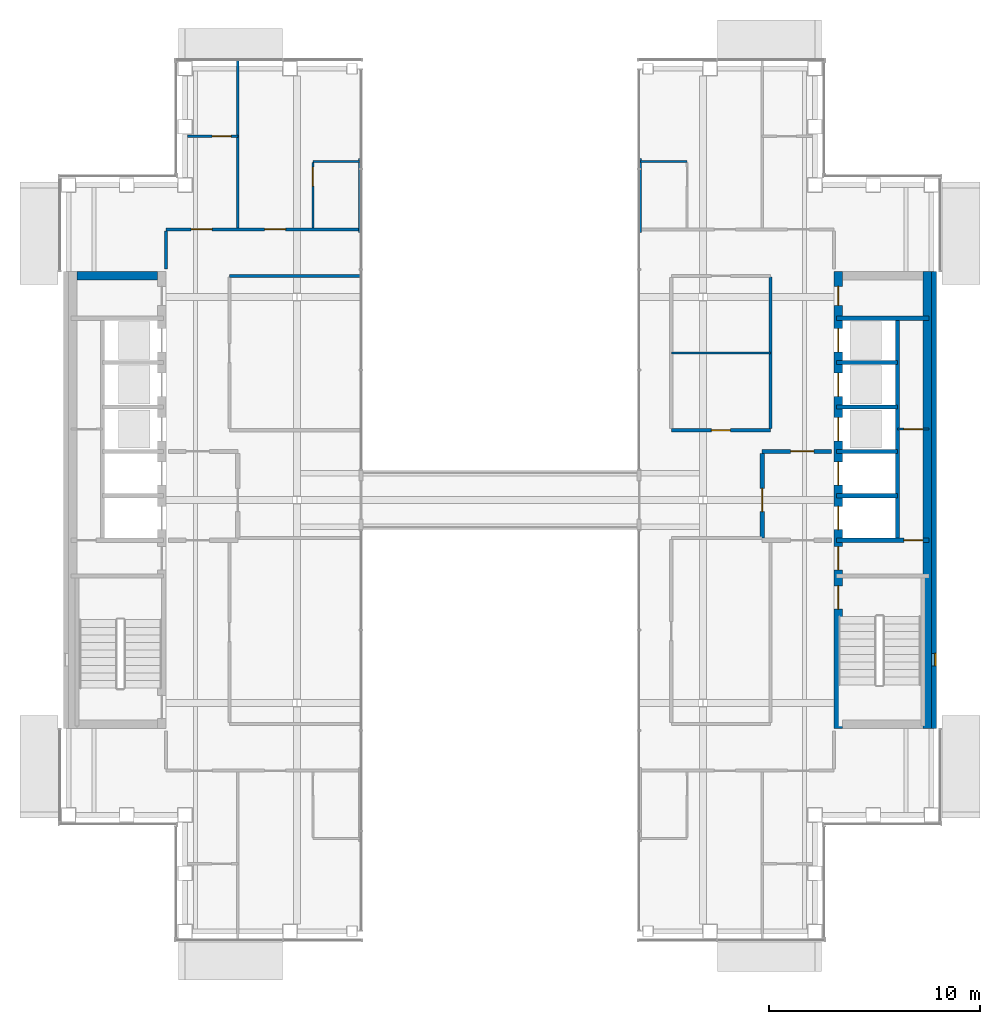
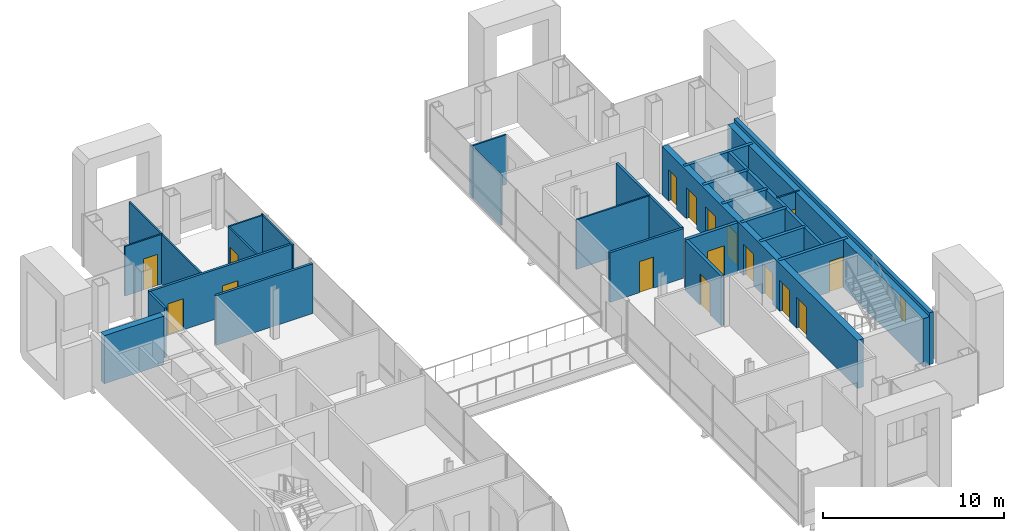
# One storey, part 12 of 17: 27 walls, 17 doors, 1 window, 18 openings.
"""IFC4 building model written with IfcOpenShell, lengths in metres."""

import ifcopenshell
import ifcopenshell.guid

model = None  # the IFC model being written
_history = None  # IfcOwnerHistory: only IFC2X3 demands one
_inside = {}  # id of a spatial element -> (the spatial element, [elements in it])
_under = {}  # id of a project, library or spatial element -> (it, [spatial elements below it])
_declared = {}  # id of a project -> (the project, [libraries it declares])
_typed = {}  # id of a type object -> (the type object, [elements of that type])
_made_of = {}  # id of a material, layer set ... -> (it, [elements and type objects made of it])


def new_model(schema):
    """Start an empty IFC model of exactly this schema.

    Asked for "IFC4X3", IfcOpenShell would pick the latest addendum, in which some entities
    have other attributes; the version numbers below select the first issue.
    IFC2X3 requires an IfcOwnerHistory on every rooted entity: one is made here for all.
    """
    global model, _history
    if schema == "IFC4X3":
        model = ifcopenshell.file(schema_version=(4, 3, 0, 0))
    else:
        model = ifcopenshell.file(schema=schema)
    _inside.clear()
    _under.clear()
    _declared.clear()
    _typed.clear()
    _made_of.clear()
    _history = None
    if model.schema == "IFC2X3":
        org = make("IfcOrganization", Name="unknown")
        user = make(
            "IfcPersonAndOrganization",
            ThePerson=make("IfcPerson", FamilyName="unknown"),
            TheOrganization=org,
        )
        app = make(
            "IfcApplication",
            ApplicationDeveloper=org,
            Version="unknown",
            ApplicationFullName="unknown",
            ApplicationIdentifier="unknown",
        )
        _history = make(
            "IfcOwnerHistory",
            OwningUser=user,
            OwningApplication=app,
            ChangeAction="ADDED",
            CreationDate=0,
        )
    return model


def make(cls, **values):
    """One entity of the class cls with the attributes given. An attribute that is None is left unset."""
    return model.create_entity(
        cls, **{name: value for name, value in values.items() if value is not None}
    )


def rooted(cls, **values):
    """An entity with a GlobalId (a new one), such as an element, a storey or a relation."""
    return make(cls, GlobalId=ifcopenshell.guid.new(), OwnerHistory=_history, **values)


def si_unit(unit_type, name, prefix=None):
    """IfcSIUnit, for example si_unit("LENGTHUNIT", "METRE", prefix="MILLI")."""
    return make("IfcSIUnit", UnitType=unit_type, Prefix=prefix, Name=name)


def assignment(units):
    """IfcUnitAssignment: the units of a project."""
    return None if units is None else make("IfcUnitAssignment", Units=units)


def point(xyz):
    """IfcCartesianPoint."""
    return None if xyz is None else make("IfcCartesianPoint", Coordinates=xyz)


def direction(xyz):
    """IfcDirection."""
    return None if xyz is None else make("IfcDirection", DirectionRatios=xyz)


def frame(location, z_axis=None, x_axis=None):
    """IfcAxis2Placement3D, a coordinate frame: its origin and axes. An axis left out is left unset."""
    return make(
        "IfcAxis2Placement3D",
        Location=point(location),
        Axis=direction(z_axis),
        RefDirection=direction(x_axis),
    )


def frame_2d(location, x_axis=None):
    """IfcAxis2Placement2D, a coordinate frame in the plane: its origin and x axis."""
    return make(
        "IfcAxis2Placement2D", Location=point(location), RefDirection=direction(x_axis)
    )


def origin():
    """The frame at (0, 0, 0) with its axes left unset."""
    return frame((0.0, 0.0, 0.0))


def place(relative_to, where):
    """IfcLocalPlacement: puts the frame where relative to a parent placement (None: the world)."""
    return make(
        "IfcLocalPlacement", PlacementRelTo=relative_to, RelativePlacement=where
    )


def context(
    kind, dimensions, precision=None, world=None, true_north=None, identifier=None
):
    """IfcGeometricRepresentationContext, for example the 3D "Model" context."""
    return make(
        "IfcGeometricRepresentationContext",
        ContextIdentifier=identifier,
        ContextType=kind,
        CoordinateSpaceDimension=dimensions,
        Precision=precision,
        WorldCoordinateSystem=world,
        TrueNorth=true_north,
    )


def subcontext(parent, identifier, kind, view, scale=None):
    """IfcGeometricRepresentationSubContext, for example "Body" below "Model"."""
    return make(
        "IfcGeometricRepresentationSubContext",
        ContextIdentifier=identifier,
        ContextType=kind,
        ParentContext=parent,
        TargetScale=scale,
        TargetView=view,
    )


def project(units=None, contexts=None):
    """IfcProject with its units and contexts."""
    return rooted(
        "IfcProject",
        Name="project",
        RepresentationContexts=contexts,
        UnitsInContext=assignment(units),
    )


def spatial(cls, under=None, at=None, **own):
    """A site, building, storey or space (cls), placed at a placement, below another one or the project."""
    s = rooted(cls, ObjectPlacement=at, **own)
    if under is not None:
        _under.setdefault(under.id(), (under, []))[1].append(s)
    return s


def profile(cls, at=None, kind="AREA", **sizes):
    """A parametric profile (cls). Its sizes go by their IFC names, for example OverallWidth=200.0."""
    return make(cls, ProfileType=kind, Position=at, **sizes)


def rectangle(**sizes):
    """IfcRectangleProfileDef."""
    return profile("IfcRectangleProfileDef", **sizes)


def extrude(swept, where, along, depth):
    """IfcExtrudedAreaSolid: the profile swept, set in the frame where, extruded along a direction by depth."""
    return make(
        "IfcExtrudedAreaSolid",
        SweptArea=swept,
        Position=where,
        ExtrudedDirection=direction(along),
        Depth=depth,
    )


def shape(context_of_items, identifier, shape_type, items):
    """IfcShapeRepresentation: the items that make up one representation, for example the "Body"."""
    return make(
        "IfcShapeRepresentation",
        ContextOfItems=context_of_items,
        RepresentationIdentifier=identifier,
        RepresentationType=shape_type,
        Items=items,
    )


def material(Name=None, Category=None):
    """IfcMaterial."""
    return make("IfcMaterial", Name=Name, Category=Category)


def layer(
    of_material, thickness, ventilated=None, Name=None, Category=None, Priority=None
):
    """IfcMaterialLayer: one layer of a wall or slab, of a material (None: an air gap)."""
    return make(
        "IfcMaterialLayer",
        Material=of_material,
        LayerThickness=thickness,
        IsVentilated=ventilated,
        Name=Name,
        Category=Category,
        Priority=Priority,
    )


def layer_set(layers, Name=None):
    """IfcMaterialLayerSet."""
    return make("IfcMaterialLayerSet", MaterialLayers=layers, LayerSetName=Name)


def made_of(thing, what):
    """Note that an element or type object is made of a material, layer set ...; save() writes the relation."""
    if what is not None:
        _made_of.setdefault(what.id(), (what, []))[1].append(thing)
    return thing


def type_object(cls, material=None, **own):
    """A type object (cls), such as IfcWallType, which elements share."""
    return made_of(rooted(cls, **own), material)


def element(
    cls,
    number,
    at=None,
    inside=None,
    cuts=None,
    type_object=None,
    material=None,
    context=None,
    identifier="Body",
    shape_type=None,
    held_by="IfcProductDefinitionShape",
    body=None,
    shapes=None,
    **own,
):
    """One element of the class cls, such as IfcWall. Its Tag is "e" and its number.

    at: its placement. inside: the storey or other place that contains it. cuts: it is an
    opening in that element (IfcRelVoidsElement). A single representation is given by context,
    identifier, shape_type and body (its items); several are given by shapes. held_by: the class
    of the entity that holds the representations. save() writes the other relations.
    """
    e = rooted(cls, Tag="e%d" % number, ObjectPlacement=at, **own)
    if body is not None:
        shapes = [shape(context, identifier, shape_type, body)]
    if shapes is not None:
        e.Representation = make(held_by, Representations=shapes)
    if inside is not None:
        _inside.setdefault(inside.id(), (inside, []))[1].append(e)
    if cuts is not None:
        rooted(
            "IfcRelVoidsElement", RelatingBuildingElement=cuts, RelatedOpeningElement=e
        )
    if type_object is not None:
        _typed.setdefault(type_object.id(), (type_object, []))[1].append(e)
    return made_of(e, material)


def fill(opening, filler):
    """IfcRelFillsElement: the door or window that sits in an opening."""
    return rooted(
        "IfcRelFillsElement",
        RelatingOpeningElement=opening,
        RelatedBuildingElement=filler,
    )


def aggregate(whole, parts):
    """IfcRelAggregates: a whole, such as a stair, and the parts it consists of."""
    return rooted("IfcRelAggregates", RelatingObject=whole, RelatedObjects=parts)


def save(model, path):
    """Write the relations noted so far, then the file.

    IfcRelAggregates (storeys below a building ...), IfcRelContainedInSpatialStructure (elements
    in a storey), IfcRelDefinesByType, IfcRelAssociatesMaterial and IfcRelDeclares: one each for
    every whole, place, type object, material and project.
    """
    for whole, parts in _under.values():
        aggregate(whole, parts)
    for where, things in _inside.values():
        rooted(
            "IfcRelContainedInSpatialStructure",
            RelatedElements=things,
            RelatingStructure=where,
        )
    for kind, things in _typed.values():
        rooted("IfcRelDefinesByType", RelatedObjects=things, RelatingType=kind)
    for what, things in _made_of.values():
        rooted("IfcRelAssociatesMaterial", RelatedObjects=things, RelatingMaterial=what)
    for by, libraries in _declared.values():
        rooted("IfcRelDeclares", RelatingContext=by, RelatedDefinitions=libraries)
    model.write(path)


model = new_model("IFC4")

# Units and contexts
model_context = context("Model", 3, precision=1e-05, world=origin(), true_north=direction((0.0, 1.0)))
body_context = subcontext(model_context, "Body", "Model", "MODEL_VIEW")
ifc_project = project(units=[si_unit("LENGTHUNIT", "METRE"), si_unit("AREAUNIT", "SQUARE_METRE"), si_unit("VOLUMEUNIT", "CUBIC_METRE"), si_unit("PLANEANGLEUNIT", "RADIAN"), si_unit("MASSUNIT", "GRAM", prefix="KILO")], contexts=[model_context])

# Site, building, storey
site_placement = place(None, origin())
site = spatial("IfcSite", under=ifc_project, at=site_placement, CompositionType="ELEMENT")
building_placement = place(site_placement, origin())
building = spatial("IfcBuilding", under=site, at=building_placement, Name="Cobrizo Arcos Hotel Tower", CompositionType="ELEMENT")
storey_placement = place(building_placement, frame((0.0, 0.0, 226.0)))
storey = spatial("IfcBuildingStorey", under=building, at=storey_placement, Name="L59", CompositionType="ELEMENT", Elevation=226.0)

# Wall, opening, door
ifc_material_1 = material(Name="Gypsum board partition")
ifc_layer_1 = layer(ifc_material_1, 0.14990234375)
ifc_layer_set_1 = layer_set([ifc_layer_1], Name="Corridor wall EI 60 150")
wall_type_1 = type_object("IfcWallType", Name="Corridor wall EI 60 150", PredefinedType="PARTITIONING", material=ifc_layer_set_1)
wall_1_placement = place(storey_placement, frame((8.10009765625, 3.300048828125, 0.0), z_axis=(0.0, 0.0, 1.0), x_axis=(1.0, 0.0, 0.0)))
wall_1 = element("IfcWall", 1, at=wall_1_placement, inside=storey, type_object=wall_type_1, Name="Partition 024", PredefinedType="PARTITIONING", context=body_context, shape_type="SweptSolid", body=[
    extrude(rectangle(XDim=4.699951171875, YDim=0.14990234375, at=frame_2d((2.35009765625, 0.0))), origin(), (0.0, 0.0, 1.0), 3.35009765625),
])
opening_1_placement = place(wall_1_placement, frame((1.89990234375, 0.0, 0.0)))
opening_1 = element("IfcOpeningElement", 2, at=opening_1_placement, cuts=wall_1, Name="Opening ED-09", PredefinedType="OPENING", context=body_context, shape_type="SweptSolid", body=[
    extrude(rectangle(XDim=0.89990234375, YDim=2.10009765625, at=frame_2d((0.449951171875, 1.050048828125))), frame((0.0, 0.0869140625, 0.0), z_axis=(0.0, -1.0, 0.0), x_axis=(1.0, 0.0, 0.0)), (0.0, 0.0, 1.0), 0.173828125),
])
ifc_material_2 = material(Name="Timber door leaf", Category="wood")
door_type_1 = type_object("IfcDoorType", Name="En-suite door 900x2100", OperationType="SINGLE_SWING_LEFT", PredefinedType="DOOR", material=ifc_material_2)
door_1_placement = place(opening_1_placement, origin())
door_1 = element("IfcDoor", 3, at=door_1_placement, inside=storey, type_object=door_type_1, Name="Door ED-09", OperationType="SINGLE_SWING_RIGHT", OverallHeight=2.10009765625, OverallWidth=0.89990234375, PredefinedType="DOOR", context=body_context, shape_type="SweptSolid", body=[
    extrude(rectangle(XDim=0.89990234375, YDim=2.10009765625, at=frame_2d((0.449951171875, 1.050048828125))), frame((0.0, 0.02490234375, 0.0), z_axis=(0.0, -1.0, 0.0), x_axis=(1.0, 0.0, 0.0)), (0.0, 0.0, 1.0), 0.050048828125),
])
fill(opening_1, door_1)

# Wall
wall_2_placement = place(storey_placement, frame((-12.800048828125, 10.60009765625, 0.0), z_axis=(0.0, 0.0, 1.0), x_axis=(1.0, 0.0, 0.0)))
element("IfcWall", 4, at=wall_2_placement, inside=storey, type_object=wall_type_1, Name="Partition 034", PredefinedType="PARTITIONING", context=body_context, shape_type="SweptSolid", body=[
    extrude(rectangle(XDim=6.179931640625, YDim=0.14990234375, at=frame_2d((3.08984375, 0.0))), origin(), (0.0, 0.0, 1.0), 3.35009765625),
])

# Wall, openings, doors
wall_3_placement = place(storey_placement, frame((-15.800048828125, 12.800048828125, 0.0), z_axis=(0.0, 0.0, 1.0), x_axis=(1.0, 0.0, 0.0)))
wall_3 = element("IfcWall", 5, at=wall_3_placement, inside=storey, type_object=wall_type_1, Name="Partition 036", PredefinedType="PARTITIONING", context=body_context, shape_type="SweptSolid", body=[
    extrude(rectangle(XDim=9.150146484375, YDim=0.14990234375, at=frame_2d((4.5751953125, 0.0))), origin(), (0.0, 0.0, 1.0), 3.35009765625),
])
opening_2_placement = place(wall_3_placement, frame((4.6669921875, 0.0, 0.0)))
opening_2 = element("IfcOpeningElement", 6, at=opening_2_placement, cuts=wall_3, Name="Opening GD-02", PredefinedType="OPENING", context=body_context, shape_type="SweptSolid", body=[
    extrude(rectangle(XDim=1.0, YDim=2.10009765625, at=frame_2d((0.5, 1.050048828125))), frame((0.0, 0.0869140625, 0.0), z_axis=(0.0, -1.0, 0.0), x_axis=(1.0, 0.0, 0.0)), (0.0, 0.0, 1.0), 0.173828125),
])
opening_3_placement = place(wall_3_placement, frame((1.19189453125, 0.0, 0.0)))
opening_3 = element("IfcOpeningElement", 7, at=opening_3_placement, cuts=wall_3, Name="Opening GD-06", PredefinedType="OPENING", context=body_context, shape_type="SweptSolid", body=[
    extrude(rectangle(XDim=1.0, YDim=2.10009765625, at=frame_2d((0.5, 1.050048828125))), frame((0.0, 0.0869140625, 0.0), z_axis=(0.0, -1.0, 0.0), x_axis=(1.0, 0.0, 0.0)), (0.0, 0.0, 1.0), 0.173828125),
])
door_type_2 = type_object("IfcDoorType", Name="Guest room door FD30S 1000x2100", OperationType="SINGLE_SWING_LEFT", PredefinedType="DOOR", material=ifc_material_2)
door_2_placement = place(opening_2_placement, origin())
door_2 = element("IfcDoor", 8, at=door_2_placement, inside=storey, type_object=door_type_2, Name="Door GD-02", OperationType="SINGLE_SWING_LEFT", OverallHeight=2.10009765625, OverallWidth=1.0, PredefinedType="DOOR", context=body_context, shape_type="SweptSolid", body=[
    extrude(rectangle(XDim=1.0, YDim=2.10009765625, at=frame_2d((0.5, 1.050048828125))), frame((0.0, 0.02490234375, 0.0), z_axis=(0.0, -1.0, 0.0), x_axis=(1.0, 0.0, 0.0)), (0.0, 0.0, 1.0), 0.050048828125),
])
fill(opening_2, door_2)
door_3_placement = place(opening_3_placement, origin())
door_3 = element("IfcDoor", 9, at=door_3_placement, inside=storey, type_object=door_type_2, Name="Door GD-06", OperationType="SINGLE_SWING_RIGHT", OverallHeight=2.10009765625, OverallWidth=1.0, PredefinedType="DOOR", context=body_context, shape_type="SweptSolid", body=[
    extrude(rectangle(XDim=1.0, YDim=2.10009765625, at=frame_2d((0.5, 1.050048828125))), frame((0.0, 0.02490234375, 0.0), z_axis=(0.0, -1.0, 0.0), x_axis=(1.0, 0.0, 0.0)), (0.0, 0.0, 1.0), 0.050048828125),
])
fill(opening_3, door_3)

# Walls
wall_4_placement = place(storey_placement, frame((-15.800048828125, 10.919921875, 0.0), z_axis=(0.0, 0.0, 1.0), x_axis=(0.0, 1.0, 0.0)))
element("IfcWall", 10, at=wall_4_placement, inside=storey, type_object=wall_type_1, Name="Partition 045", PredefinedType="PARTITIONING", context=body_context, shape_type="SweptSolid", body=[
    extrude(rectangle(XDim=1.80517578125, YDim=0.14990234375, at=frame_2d((0.902587890625, 0.0))), origin(), (0.0, 0.0, 1.0), 3.35009765625),
])
wall_5_placement = place(storey_placement, frame((12.800048828125, 3.375, 0.0), z_axis=(0.0, 0.0, 1.0), x_axis=(0.0, 1.0, 0.0)))
element("IfcWall", 11, at=wall_5_placement, inside=storey, type_object=wall_type_1, Name="Partition 065", PredefinedType="PARTITIONING", context=body_context, shape_type="SweptSolid", body=[
    extrude(rectangle(XDim=7.175048828125, YDim=0.14990234375, at=frame_2d((3.58740234375, 0.0))), origin(), (0.0, 0.0, 1.0), 3.35009765625),
])

# Wall, opening, window
ifc_material_3 = material(Name="Aluminium composite panel pale metal", Category="aluminium")
ifc_layer_2 = layer(ifc_material_3, 0.25)
ifc_layer_set_2 = layer_set([ifc_layer_2], Name="EW-1 insulated panel wall 250")
wall_type_2 = type_object("IfcWallType", Name="EW-1 insulated panel wall 250", PredefinedType="SOLIDWALL", material=ifc_layer_set_2)
wall_6_placement = place(storey_placement, frame((20.52490234375, -10.800048828125, 0.0), z_axis=(0.0, 0.0, 1.0), x_axis=(0.0, 1.0, 0.0)))
wall_6 = element("IfcWall", 12, at=wall_6_placement, inside=storey, type_object=wall_type_2, Name="Core face wall L59 E", PredefinedType="SOLIDWALL", context=body_context, shape_type="SweptSolid", body=[
    extrude(rectangle(XDim=21.60009765625, YDim=0.25, at=frame_2d((10.800048828125, 0.0))), origin(), (0.0, 0.0, 1.0), 3.5),
])
opening_4_placement = place(wall_6_placement, frame((2.949951171875, 0.0, 1.0)))
opening_4 = element("IfcOpeningElement", 13, at=opening_4_placement, cuts=wall_6, Name="Opening W-131", PredefinedType="OPENING", context=body_context, shape_type="SweptSolid", body=[
    extrude(rectangle(XDim=0.60009765625, YDim=1.5, at=frame_2d((0.300048828125, 0.75))), frame((0.0, 0.136962890625, 0.0), z_axis=(0.0, -1.0, 0.0), x_axis=(1.0, 0.0, 0.0)), (0.0, 0.0, 1.0), 0.27392578125),
])
ifc_material_4 = material(Name="Aluminium 6063-T6 and clear laminated glass", Category="aluminium")
window_type = type_object("IfcWindowType", Name="W-C1 core stair slot window 600x1500", PartitioningType="SINGLE_PANEL", PredefinedType="WINDOW", material=ifc_material_4)
window_placement = place(opening_4_placement, origin())
window = element("IfcWindow", 14, at=window_placement, inside=storey, type_object=window_type, Name="Core face wall L59 E window W-131", OverallHeight=1.5, OverallWidth=0.60009765625, PartitioningType="SINGLE_PANEL", PredefinedType="WINDOW", context=body_context, shape_type="SweptSolid", body=[
    extrude(rectangle(XDim=0.60009765625, YDim=1.5, at=frame_2d((0.300048828125, 0.75))), frame((0.0, -0.034912109375, 0.0), z_axis=(0.0, -1.0, 0.0), x_axis=(1.0, 0.0, 0.0)), (0.0, 0.0, 1.0), 0.06005859375),
])
fill(opening_4, window)

# Wall, opening, door
ifc_layer_3 = layer(ifc_material_1, 0.10009765625)
ifc_layer_set_3 = layer_set([ifc_layer_3], Name="Partition EI 30 100")
wall_type_3 = type_object("IfcWallType", Name="Partition EI 30 100", PredefinedType="PARTITIONING", material=ifc_layer_set_3)
wall_7_placement = place(storey_placement, frame((18.800048828125, 3.35009765625, 0.0), z_axis=(0.0, 0.0, 1.0), x_axis=(1.0, 0.0, 0.0)))
wall_7 = element("IfcWall", 15, at=wall_7_placement, inside=storey, type_object=wall_type_3, Name="Partition 026", PredefinedType="PARTITIONING", context=body_context, shape_type="SweptSolid", body=[
    extrude(rectangle(XDim=1.47998046875, YDim=0.10009765625, at=frame_2d((0.739990234375, 0.0))), origin(), (0.0, 0.0, 1.0), 3.25),
])
opening_5_placement = place(wall_7_placement, frame((0.300048828125, 0.0, 0.0)))
opening_5 = element("IfcOpeningElement", 16, at=opening_5_placement, cuts=wall_7, Name="Opening RD-06", PredefinedType="OPENING", context=body_context, shape_type="SweptSolid", body=[
    extrude(rectangle(XDim=0.89990234375, YDim=2.10009765625, at=frame_2d((0.449951171875, 1.050048828125))), frame((0.0, 0.06201171875, 0.0), z_axis=(0.0, -1.0, 0.0), x_axis=(1.0, 0.0, 0.0)), (0.0, 0.0, 1.0), 0.1240234375),
])
door_type_3 = type_object("IfcDoorType", Name="Room door FD30 900x2100", OperationType="SINGLE_SWING_LEFT", PredefinedType="DOOR", material=ifc_material_2)
door_4_placement = place(opening_5_placement, origin())
door_4 = element("IfcDoor", 17, at=door_4_placement, inside=storey, type_object=door_type_3, Name="Door RD-06", OperationType="SINGLE_SWING_RIGHT", OverallHeight=2.10009765625, OverallWidth=0.89990234375, PredefinedType="DOOR", context=body_context, shape_type="SweptSolid", body=[
    extrude(rectangle(XDim=0.89990234375, YDim=2.10009765625, at=frame_2d((0.449951171875, 1.050048828125))), frame((0.0, 0.02490234375, 0.0), z_axis=(0.0, -1.0, 0.0), x_axis=(1.0, 0.0, 0.0)), (0.0, 0.0, 1.0), 0.050048828125),
])
fill(opening_5, door_4)

# Walls
wall_8_placement = place(storey_placement, frame((8.10009765625, 6.949951171875, 0.0), z_axis=(0.0, 0.0, 1.0), x_axis=(1.0, 0.0, 0.0)))
element("IfcWall", 18, at=wall_8_placement, inside=storey, type_object=wall_type_3, Name="Partition 031", PredefinedType="PARTITIONING", context=body_context, shape_type="SweptSolid", body=[
    extrude(rectangle(XDim=4.699951171875, YDim=0.10009765625, at=frame_2d((2.35009765625, 0.0))), origin(), (0.0, 0.0, 1.0), 3.35009765625),
])
for number, where, z_axis, x_axis, name in (
    (19, (-8.85009765625, 16.0, 0.0), (0.0, 0.0, 1.0), (1.0, 0.0, 0.0), "Partition 038"),
    (20, (6.64990234375, 16.0, 0.0), (0.0, 0.0, 1.0), (1.0, 0.0, 0.0), "Partition 039"),
):
    element("IfcWall", number, at=place(storey_placement, frame(where, z_axis=z_axis, x_axis=x_axis)), inside=storey, type_object=wall_type_3, Name=name, PredefinedType="PARTITIONING", context=body_context, shape_type="SweptSolid", body=[
        extrude(rectangle(XDim=2.2001953125, YDim=0.10009765625, at=frame_2d((1.10009765625, 0.0))), origin(), (0.0, 0.0, 1.0), 3.35009765625),
    ])

# Wall, opening, door
wall_9_placement = place(storey_placement, frame((-14.780029296875, 17.199951171875, 0.0), z_axis=(0.0, 0.0, 1.0), x_axis=(1.0, 0.0, 0.0)))
wall_9 = element("IfcWall", 21, at=wall_9_placement, inside=storey, type_object=wall_type_3, Name="Partition 040", PredefinedType="PARTITIONING", context=body_context, shape_type="SweptSolid", body=[
    extrude(rectangle(XDim=2.380126953125, YDim=0.10009765625, at=frame_2d((1.18994140625, 0.0))), origin(), (0.0, 0.0, 1.0), 3.35009765625),
])
opening_6_placement = place(wall_9_placement, frame((1.16796875, 0.0, 0.0)))
opening_6 = element("IfcOpeningElement", 22, at=opening_6_placement, cuts=wall_9, Name="Opening ED-06", PredefinedType="OPENING", context=body_context, shape_type="SweptSolid", body=[
    extrude(rectangle(XDim=0.89990234375, YDim=2.10009765625, at=frame_2d((0.449951171875, 1.050048828125))), frame((0.0, 0.06201171875, 0.0), z_axis=(0.0, -1.0, 0.0), x_axis=(1.0, 0.0, 0.0)), (0.0, 0.0, 1.0), 0.1240234375),
])
door_5_placement = place(opening_6_placement, origin())
door_5 = element("IfcDoor", 23, at=door_5_placement, inside=storey, type_object=door_type_1, Name="Door ED-06", OperationType="SINGLE_SWING_LEFT", OverallHeight=2.10009765625, OverallWidth=0.89990234375, PredefinedType="DOOR", context=body_context, shape_type="SweptSolid", body=[
    extrude(rectangle(XDim=0.89990234375, YDim=2.10009765625, at=frame_2d((0.449951171875, 1.050048828125))), frame((0.0, 0.02490234375, 0.0), z_axis=(0.0, -1.0, 0.0), x_axis=(1.0, 0.0, 0.0)), (0.0, 0.0, 1.0), 0.050048828125),
])
fill(opening_6, door_5)

# Wall
wall_10_placement = place(storey_placement, frame((-12.39990234375, 12.875, 0.0), z_axis=(0.0, 0.0, 1.0), x_axis=(0.0, 1.0, 0.0)))
element("IfcWall", 24, at=wall_10_placement, inside=storey, type_object=wall_type_3, Name="Partition 050", PredefinedType="PARTITIONING", context=body_context, shape_type="SweptSolid", body=[
    extrude(rectangle(XDim=7.905029296875, YDim=0.10009765625, at=frame_2d((3.95263671875, 0.0))), origin(), (0.0, 0.0, 1.0), 3.35009765625),
])

# Wall, opening, door
wall_11_placement = place(storey_placement, frame((-8.85009765625, 12.875, 0.0), z_axis=(0.0, 0.0, 1.0), x_axis=(0.0, 1.0, 0.0)))
wall_11 = element("IfcWall", 25, at=wall_11_placement, inside=storey, type_object=wall_type_3, Name="Partition 052", PredefinedType="PARTITIONING", context=body_context, shape_type="SweptSolid", body=[
    extrude(rectangle(XDim=3.074951171875, YDim=0.10009765625, at=frame_2d((1.53759765625, 0.0))), origin(), (0.0, 0.0, 1.0), 3.35009765625),
])
opening_7_placement = place(wall_11_placement, frame((1.970947265625, 0.0, 0.0)))
opening_7 = element("IfcOpeningElement", 26, at=opening_7_placement, cuts=wall_11, Name="Opening ED-02", PredefinedType="OPENING", context=body_context, shape_type="SweptSolid", body=[
    extrude(rectangle(XDim=0.89990234375, YDim=2.10009765625, at=frame_2d((0.449951171875, 1.050048828125))), frame((0.0, 0.06201171875, 0.0), z_axis=(0.0, -1.0, 0.0), x_axis=(1.0, 0.0, 0.0)), (0.0, 0.0, 1.0), 0.1240234375),
])
door_6_placement = place(opening_7_placement, origin())
door_6 = element("IfcDoor", 27, at=door_6_placement, inside=storey, type_object=door_type_1, Name="Door ED-02", OperationType="SINGLE_SWING_LEFT", OverallHeight=2.10009765625, OverallWidth=0.89990234375, PredefinedType="DOOR", context=body_context, shape_type="SweptSolid", body=[
    extrude(rectangle(XDim=0.89990234375, YDim=2.10009765625, at=frame_2d((0.449951171875, 1.050048828125))), frame((0.0, 0.02490234375, 0.0), z_axis=(0.0, -1.0, 0.0), x_axis=(1.0, 0.0, 0.0)), (0.0, 0.0, 1.0), 0.050048828125),
])
fill(opening_7, door_6)

# Walls
for number, where, z_axis, x_axis, name in (
    (28, (-6.64990234375, 12.659912109375, 0.0), (0.0, 0.0, 1.0), (0.0, 1.0, 0.0), "Partition 054"),
    (29, (6.64990234375, 12.659912109375, 0.0), (0.0, 0.0, 1.0), (0.0, 1.0, 0.0), "Partition 056"),
):
    element("IfcWall", number, at=place(storey_placement, frame(where, z_axis=z_axis, x_axis=x_axis)), inside=storey, type_object=wall_type_3, Name=name, PredefinedType="PARTITIONING", context=body_context, shape_type="SweptSolid", body=[
        extrude(rectangle(XDim=3.47998046875, YDim=0.10009765625, at=frame_2d((1.739990234375, 0.0))), origin(), (0.0, 0.0, 1.0), 3.35009765625),
    ])

# Wall, openings, doors
ifc_material_5 = material(Name="Concrete f'c 40 MPa", Category="concrete")
ifc_layer_4 = layer(ifc_material_5, 0.39990234375)
ifc_layer_set_4 = layer_set([ifc_layer_4], Name="RC core wall 400 f'c 40")
wall_type_4 = type_object("IfcWallType", Name="RC core wall 400 f'c 40", PredefinedType="SHEAR", material=ifc_layer_set_4)
wall_12_placement = place(storey_placement, frame((16.0, -10.800048828125, 0.0), z_axis=(0.0, 0.0, 1.0), x_axis=(0.0, 1.0, 0.0)))
wall_12 = element("IfcWall", 30, at=wall_12_placement, inside=storey, type_object=wall_type_4, Name="Core wall CW4, east core, inner face, L59", PredefinedType="SHEAR", context=body_context, shape_type="SweptSolid", body=[
    extrude(rectangle(XDim=21.60009765625, YDim=0.39990234375, at=frame_2d((10.800048828125, 0.0))), origin(), (0.0, 0.0, 1.0), 3.25),
])
opening_8_placement = place(wall_12_placement, frame((9.39990234375, 0.0, 0.0)))
opening_8 = element("IfcOpeningElement", 31, at=opening_8_placement, cuts=wall_12, Name="Opening LD-06", PredefinedType="OPENING", context=body_context, shape_type="SweptSolid", body=[
    extrude(rectangle(XDim=1.10009765625, YDim=2.10009765625, at=frame_2d((0.550048828125, 1.050048828125))), frame((0.0, 0.2119140625, 0.0), z_axis=(0.0, -1.0, 0.0), x_axis=(1.0, 0.0, 0.0)), (0.0, 0.0, 1.0), 0.423828125),
])
opening_9_placement = place(wall_12_placement, frame((11.5, 0.0, 0.0)))
opening_9 = element("IfcOpeningElement", 32, at=opening_9_placement, cuts=wall_12, Name="Opening LD-07", PredefinedType="OPENING", context=body_context, shape_type="SweptSolid", body=[
    extrude(rectangle(XDim=1.10009765625, YDim=2.10009765625, at=frame_2d((0.550048828125, 1.050048828125))), frame((0.0, 0.2119140625, 0.0), z_axis=(0.0, -1.0, 0.0), x_axis=(1.0, 0.0, 0.0)), (0.0, 0.0, 1.0), 0.423828125),
])
opening_10_placement = place(wall_12_placement, frame((13.60009765625, 0.0, 0.0)))
opening_10 = element("IfcOpeningElement", 33, at=opening_10_placement, cuts=wall_12, Name="Opening LD-08", PredefinedType="OPENING", context=body_context, shape_type="SweptSolid", body=[
    extrude(rectangle(XDim=1.10009765625, YDim=2.10009765625, at=frame_2d((0.550048828125, 1.050048828125))), frame((0.0, 0.2119140625, 0.0), z_axis=(0.0, -1.0, 0.0), x_axis=(1.0, 0.0, 0.0)), (0.0, 0.0, 1.0), 0.423828125),
])
opening_11_placement = place(wall_12_placement, frame((15.699951171875, 0.0, 0.0)))
opening_11 = element("IfcOpeningElement", 34, at=opening_11_placement, cuts=wall_12, Name="Opening LD-09", PredefinedType="OPENING", context=body_context, shape_type="SweptSolid", body=[
    extrude(rectangle(XDim=1.10009765625, YDim=2.10009765625, at=frame_2d((0.550048828125, 1.050048828125))), frame((0.0, 0.2119140625, 0.0), z_axis=(0.0, -1.0, 0.0), x_axis=(1.0, 0.0, 0.0)), (0.0, 0.0, 1.0), 0.423828125),
])
opening_12_placement = place(wall_12_placement, frame((17.800048828125, 0.0, 0.0)))
opening_12 = element("IfcOpeningElement", 35, at=opening_12_placement, cuts=wall_12, Name="Opening LD-10", PredefinedType="OPENING", context=body_context, shape_type="SweptSolid", body=[
    extrude(rectangle(XDim=1.10009765625, YDim=2.10009765625, at=frame_2d((0.550048828125, 1.050048828125))), frame((0.0, 0.2119140625, 0.0), z_axis=(0.0, -1.0, 0.0), x_axis=(1.0, 0.0, 0.0)), (0.0, 0.0, 1.0), 0.423828125),
])
opening_13_placement = place(wall_12_placement, frame((5.64208984375, 0.0, 0.0)))
opening_13 = element("IfcOpeningElement", 36, at=opening_13_placement, cuts=wall_12, Name="Opening SD-02", PredefinedType="OPENING", context=body_context, shape_type="SweptSolid", body=[
    extrude(rectangle(XDim=1.10009765625, YDim=2.10009765625, at=frame_2d((0.550048828125, 1.050048828125))), frame((0.0, 0.2119140625, 0.0), z_axis=(0.0, -1.0, 0.0), x_axis=(1.0, 0.0, 0.0)), (0.0, 0.0, 1.0), 0.423828125),
])
opening_14_placement = place(wall_12_placement, frame((7.5, 0.0, 0.0)))
opening_14 = element("IfcOpeningElement", 37, at=opening_14_placement, cuts=wall_12, Name="Opening FD-05", PredefinedType="OPENING", context=body_context, shape_type="SweptSolid", body=[
    extrude(rectangle(XDim=1.10009765625, YDim=2.10009765625, at=frame_2d((0.550048828125, 1.050048828125))), frame((0.0, 0.2119140625, 0.0), z_axis=(0.0, -1.0, 0.0), x_axis=(1.0, 0.0, 0.0)), (0.0, 0.0, 1.0), 0.423828125),
])
opening_15_placement = place(wall_12_placement, frame((20.0, 0.0, 0.0)))
opening_15 = element("IfcOpeningElement", 38, at=opening_15_placement, cuts=wall_12, Name="Opening RD-04", PredefinedType="OPENING", context=body_context, shape_type="SweptSolid", body=[
    extrude(rectangle(XDim=0.89990234375, YDim=2.10009765625, at=frame_2d((0.449951171875, 1.050048828125))), frame((0.0, 0.2119140625, 0.0), z_axis=(0.0, -1.0, 0.0), x_axis=(1.0, 0.0, 0.0)), (0.0, 0.0, 1.0), 0.423828125),
])
ifc_material_6 = material(Name="Steel door leaf", Category="steel")
door_type_4 = type_object("IfcDoorType", Name="Fire door FD60 1100x2100", OperationType="SINGLE_SWING_LEFT", PredefinedType="DOOR", material=ifc_material_6)
door_7_placement = place(opening_14_placement, origin())
door_7 = element("IfcDoor", 39, at=door_7_placement, inside=storey, type_object=door_type_4, Name="Door FD-05", OperationType="SINGLE_SWING_LEFT", OverallHeight=2.10009765625, OverallWidth=1.10009765625, PredefinedType="DOOR", context=body_context, shape_type="SweptSolid", body=[
    extrude(rectangle(XDim=1.10009765625, YDim=2.10009765625, at=frame_2d((0.550048828125, 1.050048828125))), frame((0.0, 0.02490234375, 0.0), z_axis=(0.0, -1.0, 0.0), x_axis=(1.0, 0.0, 0.0)), (0.0, 0.0, 1.0), 0.050048828125),
])
fill(opening_14, door_7)
door_type_5 = type_object("IfcDoorType", Name="Lift landing door 1100x2100", OperationType="SLIDING_TO_LEFT", PredefinedType="DOOR", material=ifc_material_6)
door_8_placement = place(opening_8_placement, origin())
door_8 = element("IfcDoor", 40, at=door_8_placement, inside=storey, type_object=door_type_5, Name="Lift landing door LD-06", OperationType="SLIDING_TO_LEFT", OverallHeight=2.10009765625, OverallWidth=1.10009765625, PredefinedType="DOOR", context=body_context, shape_type="SweptSolid", body=[
    extrude(rectangle(XDim=1.10009765625, YDim=2.10009765625, at=frame_2d((0.550048828125, 1.050048828125))), frame((0.0, 0.02490234375, 0.0), z_axis=(0.0, -1.0, 0.0), x_axis=(1.0, 0.0, 0.0)), (0.0, 0.0, 1.0), 0.050048828125),
])
fill(opening_8, door_8)
door_9_placement = place(opening_9_placement, origin())
door_9 = element("IfcDoor", 41, at=door_9_placement, inside=storey, type_object=door_type_5, Name="Lift landing door LD-07", OperationType="SLIDING_TO_LEFT", OverallHeight=2.10009765625, OverallWidth=1.10009765625, PredefinedType="DOOR", context=body_context, shape_type="SweptSolid", body=[
    extrude(rectangle(XDim=1.10009765625, YDim=2.10009765625, at=frame_2d((0.550048828125, 1.050048828125))), frame((0.0, 0.02490234375, 0.0), z_axis=(0.0, -1.0, 0.0), x_axis=(1.0, 0.0, 0.0)), (0.0, 0.0, 1.0), 0.050048828125),
])
fill(opening_9, door_9)
door_10_placement = place(opening_10_placement, origin())
door_10 = element("IfcDoor", 42, at=door_10_placement, inside=storey, type_object=door_type_5, Name="Lift landing door LD-08", OperationType="SLIDING_TO_LEFT", OverallHeight=2.10009765625, OverallWidth=1.10009765625, PredefinedType="DOOR", context=body_context, shape_type="SweptSolid", body=[
    extrude(rectangle(XDim=1.10009765625, YDim=2.10009765625, at=frame_2d((0.550048828125, 1.050048828125))), frame((0.0, 0.02490234375, 0.0), z_axis=(0.0, -1.0, 0.0), x_axis=(1.0, 0.0, 0.0)), (0.0, 0.0, 1.0), 0.050048828125),
])
fill(opening_10, door_10)
door_11_placement = place(opening_11_placement, origin())
door_11 = element("IfcDoor", 43, at=door_11_placement, inside=storey, type_object=door_type_5, Name="Lift landing door LD-09", OperationType="SLIDING_TO_LEFT", OverallHeight=2.10009765625, OverallWidth=1.10009765625, PredefinedType="DOOR", context=body_context, shape_type="SweptSolid", body=[
    extrude(rectangle(XDim=1.10009765625, YDim=2.10009765625, at=frame_2d((0.550048828125, 1.050048828125))), frame((0.0, 0.02490234375, 0.0), z_axis=(0.0, -1.0, 0.0), x_axis=(1.0, 0.0, 0.0)), (0.0, 0.0, 1.0), 0.050048828125),
])
fill(opening_11, door_11)
door_12_placement = place(opening_12_placement, origin())
door_12 = element("IfcDoor", 44, at=door_12_placement, inside=storey, type_object=door_type_5, Name="Lift landing door LD-10", OperationType="SLIDING_TO_LEFT", OverallHeight=2.10009765625, OverallWidth=1.10009765625, PredefinedType="DOOR", context=body_context, shape_type="SweptSolid", body=[
    extrude(rectangle(XDim=1.10009765625, YDim=2.10009765625, at=frame_2d((0.550048828125, 1.050048828125))), frame((0.0, 0.02490234375, 0.0), z_axis=(0.0, -1.0, 0.0), x_axis=(1.0, 0.0, 0.0)), (0.0, 0.0, 1.0), 0.050048828125),
])
fill(opening_12, door_12)
door_13_placement = place(opening_15_placement, origin())
door_13 = element("IfcDoor", 45, at=door_13_placement, inside=storey, type_object=door_type_3, Name="Door RD-04", OperationType="SINGLE_SWING_RIGHT", OverallHeight=2.10009765625, OverallWidth=0.89990234375, PredefinedType="DOOR", context=body_context, shape_type="SweptSolid", body=[
    extrude(rectangle(XDim=0.89990234375, YDim=2.10009765625, at=frame_2d((0.449951171875, 1.050048828125))), frame((0.0, 0.02490234375, 0.0), z_axis=(0.0, -1.0, 0.0), x_axis=(1.0, 0.0, 0.0)), (0.0, 0.0, 1.0), 0.050048828125),
])
fill(opening_15, door_13)
door_type_6 = type_object("IfcDoorType", Name="Stair door FD60S 1100x2100", OperationType="SINGLE_SWING_LEFT", PredefinedType="DOOR", material=ifc_material_6)
door_14_placement = place(opening_13_placement, origin())
door_14 = element("IfcDoor", 46, at=door_14_placement, inside=storey, type_object=door_type_6, Name="Door SD-02", OperationType="SINGLE_SWING_LEFT", OverallHeight=2.10009765625, OverallWidth=1.10009765625, PredefinedType="DOOR", context=body_context, shape_type="SweptSolid", body=[
    extrude(rectangle(XDim=1.10009765625, YDim=2.10009765625, at=frame_2d((0.550048828125, 1.050048828125))), frame((0.0, 0.02490234375, 0.0), z_axis=(0.0, -1.0, 0.0), x_axis=(1.0, 0.0, 0.0)), (0.0, 0.0, 1.0), 0.050048828125),
])
fill(opening_13, door_14)

# Walls
wall_13_placement = place(storey_placement, frame((20.199951171875, -10.800048828125, 0.0), z_axis=(0.0, 0.0, 1.0), x_axis=(0.0, 1.0, 0.0)))
element("IfcWall", 47, at=wall_13_placement, inside=storey, type_object=wall_type_4, Name="Core wall CW4, east core, outer face, L59", PredefinedType="SHEAR", context=body_context, shape_type="SweptSolid", body=[
    extrude(rectangle(XDim=21.60009765625, YDim=0.39990234375, at=frame_2d((10.800048828125, 0.0))), origin(), (0.0, 0.0, 1.0), 3.25),
])
wall_14_placement = place(storey_placement, frame((-20.0, 10.60009765625, 0.0), z_axis=(0.0, 0.0, 1.0), x_axis=(1.0, 0.0, 0.0)))
element("IfcWall", 48, at=wall_14_placement, inside=storey, type_object=wall_type_4, Name="Core wall CW4, west core, north end, L59", PredefinedType="SHEAR", context=body_context, shape_type="SweptSolid", body=[
    extrude(rectangle(XDim=3.800048828125, YDim=0.39990234375, at=frame_2d((1.89990234375, 0.0))), origin(), (0.0, 0.0, 1.0), 3.25),
])

# Wall, opening, door
ifc_layer_5 = layer(ifc_material_1, 0.199951171875)
ifc_layer_set_5 = layer_set([ifc_layer_5], Name="Shaft wall EI 120 200")
wall_type_5 = type_object("IfcWallType", Name="Shaft wall EI 120 200", PredefinedType="PARTITIONING", material=ifc_layer_set_5)
wall_15_placement = place(storey_placement, frame((15.919921875, -1.89990234375, 0.0), z_axis=(0.0, 0.0, 1.0), x_axis=(1.0, 0.0, 0.0)))
wall_15 = element("IfcWall", 49, at=wall_15_placement, inside=storey, type_object=wall_type_5, Name="Partition 014", PredefinedType="PARTITIONING", context=body_context, shape_type="SweptSolid", body=[
    extrude(rectangle(XDim=4.360107421875, YDim=0.199951171875, at=frame_2d((2.18017578125, 0.0))), origin(), (0.0, 0.0, 1.0), 3.25),
])
opening_16_placement = place(wall_15_placement, frame((3.179931640625, 0.0, 0.0)))
opening_16 = element("IfcOpeningElement", 50, at=opening_16_placement, cuts=wall_15, Name="Opening RD-05", PredefinedType="OPENING", context=body_context, shape_type="SweptSolid", body=[
    extrude(rectangle(XDim=0.89990234375, YDim=2.10009765625, at=frame_2d((0.449951171875, 1.050048828125))), frame((0.0, 0.112060546875, 0.0), z_axis=(0.0, -1.0, 0.0), x_axis=(1.0, 0.0, 0.0)), (0.0, 0.0, 1.0), 0.223876953125),
])
door_15_placement = place(opening_16_placement, origin())
door_15 = element("IfcDoor", 51, at=door_15_placement, inside=storey, type_object=door_type_3, Name="Door RD-05", OperationType="SINGLE_SWING_RIGHT", OverallHeight=2.10009765625, OverallWidth=0.89990234375, PredefinedType="DOOR", context=body_context, shape_type="SweptSolid", body=[
    extrude(rectangle(XDim=0.89990234375, YDim=2.10009765625, at=frame_2d((0.449951171875, 1.050048828125))), frame((0.0, 0.02490234375, 0.0), z_axis=(0.0, -1.0, 0.0), x_axis=(1.0, 0.0, 0.0)), (0.0, 0.0, 1.0), 0.050048828125),
])
fill(opening_16, door_15)

# Wall
wall_16_placement = place(storey_placement, frame((15.919921875, 0.199951171875, 0.0), z_axis=(0.0, 0.0, 1.0), x_axis=(1.0, 0.0, 0.0)))
element("IfcWall", 52, at=wall_16_placement, inside=storey, type_object=wall_type_5, Name="Partition 018", PredefinedType="PARTITIONING", context=body_context, shape_type="SweptSolid", body=[
    extrude(rectangle(XDim=2.880126953125, YDim=0.199951171875, at=frame_2d((1.43994140625, 0.0))), origin(), (0.0, 0.0, 1.0), 3.25),
])

# Wall, opening, door
wall_17_placement = place(storey_placement, frame((12.39990234375, 2.300048828125, 0.0), z_axis=(0.0, 0.0, 1.0), x_axis=(1.0, 0.0, 0.0)))
wall_17 = element("IfcWall", 53, at=wall_17_placement, inside=storey, type_object=wall_type_5, Name="Partition 021", PredefinedType="PARTITIONING", context=body_context, shape_type="SweptSolid", body=[
    extrude(rectangle(XDim=3.280029296875, YDim=0.199951171875, at=frame_2d((1.64013671875, 0.0))), origin(), (0.0, 0.0, 1.0), 3.35009765625),
])
opening_17_placement = place(wall_17_placement, frame((1.340087890625, 0.0, 0.0)))
opening_17 = element("IfcOpeningElement", 54, at=opening_17_placement, cuts=wall_17, Name="Opening FD-08", PredefinedType="OPENING", context=body_context, shape_type="SweptSolid", body=[
    extrude(rectangle(XDim=1.10009765625, YDim=2.10009765625, at=frame_2d((0.550048828125, 1.050048828125))), frame((0.0, 0.112060546875, 0.0), z_axis=(0.0, -1.0, 0.0), x_axis=(1.0, 0.0, 0.0)), (0.0, 0.0, 1.0), 0.223876953125),
])
door_16_placement = place(opening_17_placement, origin())
door_16 = element("IfcDoor", 55, at=door_16_placement, inside=storey, type_object=door_type_4, Name="Door FD-08", OperationType="SINGLE_SWING_LEFT", OverallHeight=2.10009765625, OverallWidth=1.10009765625, PredefinedType="DOOR", context=body_context, shape_type="SweptSolid", body=[
    extrude(rectangle(XDim=1.10009765625, YDim=2.10009765625, at=frame_2d((0.550048828125, 1.050048828125))), frame((0.0, 0.02490234375, 0.0), z_axis=(0.0, -1.0, 0.0), x_axis=(1.0, 0.0, 0.0)), (0.0, 0.0, 1.0), 0.050048828125),
])
fill(opening_17, door_16)

# Walls
for number, where, z_axis, x_axis, name in (
    (56, (15.919921875, 2.300048828125, 0.0), (0.0, 0.0, 1.0), (1.0, 0.0, 0.0), "Partition 022"),
    (57, (15.919921875, 4.39990234375, 0.0), (0.0, 0.0, 1.0), (1.0, 0.0, 0.0), "Partition 028"),
    (58, (15.919921875, 6.5, 0.0), (0.0, 0.0, 1.0), (1.0, 0.0, 0.0), "Partition 030"),
):
    element("IfcWall", number, at=place(storey_placement, frame(where, z_axis=z_axis, x_axis=x_axis)), inside=storey, type_object=wall_type_5, Name=name, PredefinedType="PARTITIONING", context=body_context, shape_type="SweptSolid", body=[
        extrude(rectangle(XDim=2.880126953125, YDim=0.199951171875, at=frame_2d((1.43994140625, 0.0))), origin(), (0.0, 0.0, 1.0), 3.25),
    ])
wall_18_placement = place(storey_placement, frame((15.919921875, 8.60009765625, 0.0), z_axis=(0.0, 0.0, 1.0), x_axis=(1.0, 0.0, 0.0)))
element("IfcWall", 59, at=wall_18_placement, inside=storey, type_object=wall_type_5, Name="Partition 033", PredefinedType="PARTITIONING", context=body_context, shape_type="SweptSolid", body=[
    extrude(rectangle(XDim=4.360107421875, YDim=0.199951171875, at=frame_2d((2.18017578125, 0.0))), origin(), (0.0, 0.0, 1.0), 3.25),
])

# Wall, opening, door
wall_19_placement = place(storey_placement, frame((12.39990234375, -1.800048828125, 0.0), z_axis=(0.0, 0.0, 1.0), x_axis=(0.0, 1.0, 0.0)))
wall_19 = element("IfcWall", 60, at=wall_19_placement, inside=storey, type_object=wall_type_5, Name="Partition 062", PredefinedType="PARTITIONING", context=body_context, shape_type="SweptSolid", body=[
    extrude(rectangle(XDim=4.0, YDim=0.199951171875, at=frame_2d((2.0, 0.0))), origin(), (0.0, 0.0, 1.0), 3.35009765625),
])
opening_18_placement = place(wall_19_placement, frame((1.25, 0.0, 0.0)))
opening_18 = element("IfcOpeningElement", 61, at=opening_18_placement, cuts=wall_19, Name="Opening FD-06", PredefinedType="OPENING", context=body_context, shape_type="SweptSolid", body=[
    extrude(rectangle(XDim=1.10009765625, YDim=2.10009765625, at=frame_2d((0.550048828125, 1.050048828125))), frame((0.0, 0.112060546875, 0.0), z_axis=(0.0, -1.0, 0.0), x_axis=(1.0, 0.0, 0.0)), (0.0, 0.0, 1.0), 0.223876953125),
])
door_17_placement = place(opening_18_placement, origin())
door_17 = element("IfcDoor", 62, at=door_17_placement, inside=storey, type_object=door_type_4, Name="Door FD-06", OperationType="SINGLE_SWING_LEFT", OverallHeight=2.10009765625, OverallWidth=1.10009765625, PredefinedType="DOOR", context=body_context, shape_type="SweptSolid", body=[
    extrude(rectangle(XDim=1.10009765625, YDim=2.10009765625, at=frame_2d((0.550048828125, 1.050048828125))), frame((0.0, 0.02490234375, 0.0), z_axis=(0.0, -1.0, 0.0), x_axis=(1.0, 0.0, 0.0)), (0.0, 0.0, 1.0), 0.050048828125),
])
fill(opening_18, door_17)

# Wall
wall_20_placement = place(storey_placement, frame((18.800048828125, -1.800048828125, 0.0), z_axis=(0.0, 0.0, 1.0), x_axis=(0.0, 1.0, 0.0)))
element("IfcWall", 63, at=wall_20_placement, inside=storey, type_object=wall_type_5, Name="Partition 068", PredefinedType="PARTITIONING", context=body_context, shape_type="SweptSolid", body=[
    extrude(rectangle(XDim=10.300048828125, YDim=0.199951171875, at=frame_2d((5.14990234375, 0.0))), origin(), (0.0, 0.0, 1.0), 3.25),
])

save(model, "model.ifc")
